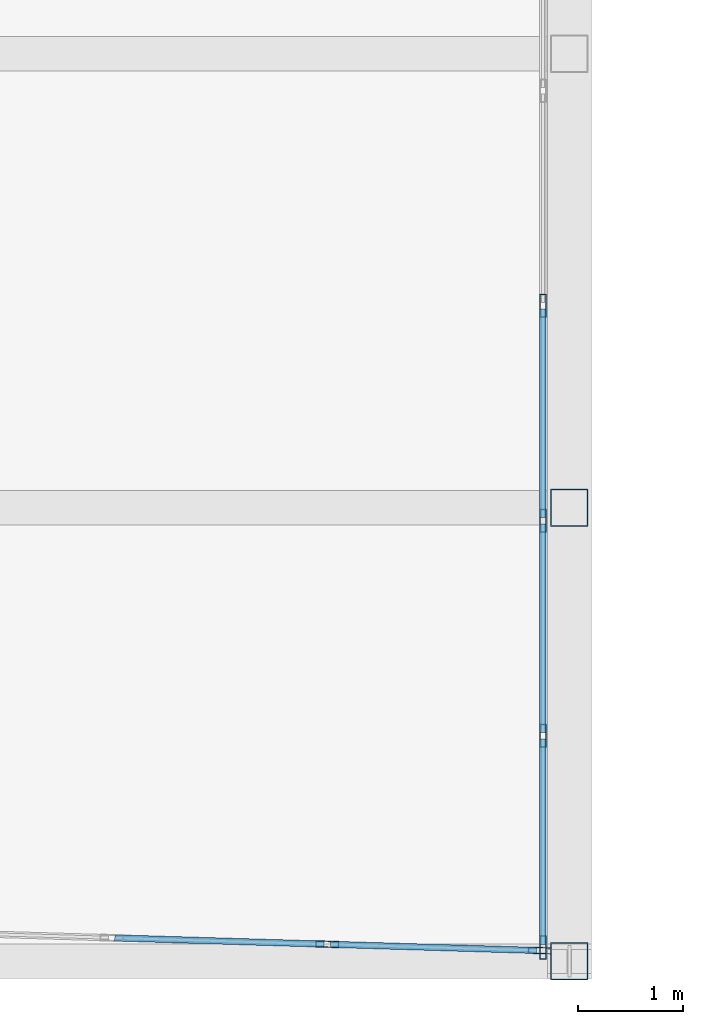
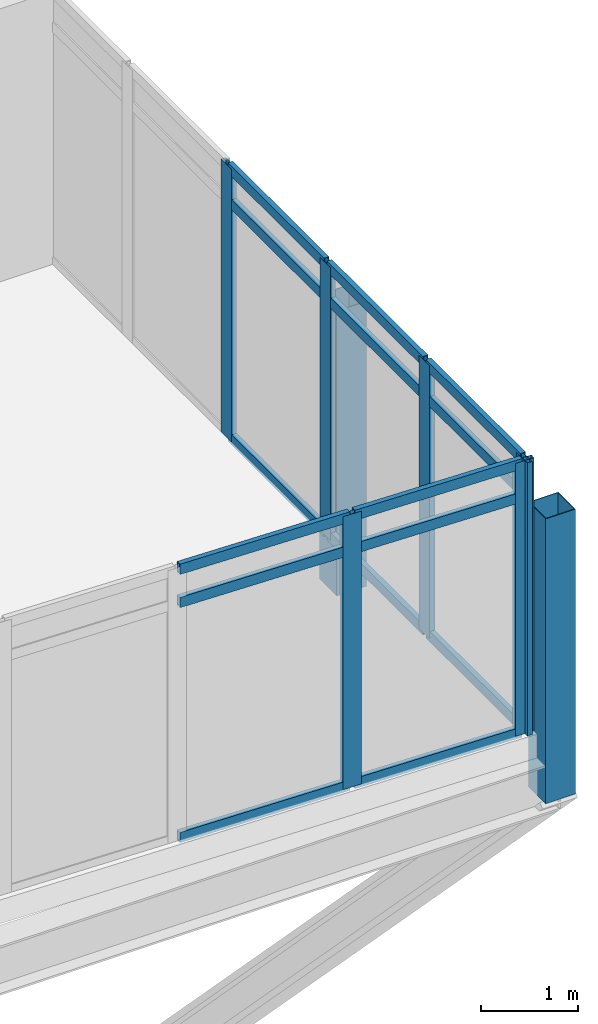
# One storey, part 12 of 37: 23 members, 2 elements without a shape of their own.
"""IFC4 building model written with IfcOpenShell, lengths in metres."""

from ifc_helpers import new_model, si_unit, direction, frame, origin, origin_2d, place, context, subcontext, project, spatial, hollow_rectangle, extrude, material, material_profile, profile_set, type_object, element, aggregate, save


model = new_model("IFC4")

# Units and contexts
model_context = context("Model", 3, precision=1e-05, world=origin(), true_north=direction((0.0, 1.0)))
body_context = subcontext(model_context, "Body", "Model", "MODEL_VIEW")
ifc_project = project(units=[si_unit("LENGTHUNIT", "METRE"), si_unit("AREAUNIT", "SQUARE_METRE"), si_unit("VOLUMEUNIT", "CUBIC_METRE"), si_unit("PLANEANGLEUNIT", "RADIAN"), si_unit("MASSUNIT", "GRAM", prefix="KILO")], contexts=[model_context])

# Site, building, storey
site_placement = place(None, origin())
site = spatial("IfcSite", under=ifc_project, at=site_placement, CompositionType="ELEMENT")
building_placement = place(site_placement, origin())
building = spatial("IfcBuilding", under=site, at=building_placement, Name="Ostrander Bayou Hotel Tower", CompositionType="ELEMENT")
storey_placement = place(building_placement, frame((0.0, 0.0, 131.0)))
storey = spatial("IfcBuildingStorey", under=building, at=storey_placement, Name="L32", CompositionType="ELEMENT", Elevation=131.0)

# Curtain wall, members
ifc_material_1 = material(Name="Aluminium and clear glass", Category="aluminium")
curtain_wall_type = type_object("IfcCurtainWallType", Name="CW-BAR glazed wall", PredefinedType="NOTDEFINED", material=ifc_material_1)
curtain_wall_1_placement = place(storey_placement, origin())
curtain_wall_1 = element("IfcCurtainWall", 1, at=curtain_wall_1_placement, inside=storey, type_object=curtain_wall_type, Name="CW-BAR L32:SB3S:T", PredefinedType="NOTDEFINED")
ifc_material_2 = material(Name="Aluminium", Category="aluminium")
ifc_material_profile_1 = material_profile(ifc_material_2, hollow_rectangle(XDim=0.06005859375, YDim=0.219970703125, WallThickness=0.00390625, at=origin_2d()))
ifc_profile_set_1 = profile_set([ifc_material_profile_1], Name="Aluminium")
member_type_1 = type_object("IfcMemberType", Name="CW-BR mullion 60 x 220 mm", PredefinedType="MULLION", material=ifc_profile_set_1)
member_1_placement = place(storey_placement, frame((11.310791015625, -31.28662109375, 0.0), z_axis=(0.0, 0.0, 1.0), x_axis=(0.029746242041, 0.999557482631, 0.0)))
member_1 = element("IfcMember", 2, at=member_1_placement, type_object=member_type_1, Name="CW-BAR mullion 13", PredefinedType="MULLION", context=body_context, shape_type="SweptSolid", body=[
    extrude(hollow_rectangle(XDim=0.06005859375, YDim=0.219970703125, WallThickness=0.00390625, at=origin_2d()), origin(), (0.0, 0.0, 1.0), 3.449951171875),
])
member_2_placement = place(storey_placement, frame((13.337158203125, -31.346923828125, 0.0), z_axis=(0.0, 0.0, 1.0), x_axis=(0.029746242041, 0.999557482631, 0.0)))
member_2 = element("IfcMember", 3, at=member_2_placement, type_object=member_type_1, Name="CW-BAR mullion 14", PredefinedType="MULLION", context=body_context, shape_type="SweptSolid", body=[
    extrude(hollow_rectangle(XDim=0.06005859375, YDim=0.219970703125, WallThickness=0.00390625, at=origin_2d()), origin(), (0.0, 0.0, 1.0), 3.449951171875),
])

curtain_wall_2_placement = place(storey_placement, origin())
curtain_wall_2 = element("IfcCurtainWall", 4, at=curtain_wall_2_placement, inside=storey, type_object=curtain_wall_type, Name="CW-BAR L32:SB3S:W", PredefinedType="NOTDEFINED")
member_3_placement = place(storey_placement, frame((13.3671875, -25.19775390625, 0.0), z_axis=(0.0, 0.0, 1.0), x_axis=(1.0, 0.0, 0.0)))
member_3 = element("IfcMember", 5, at=member_3_placement, type_object=member_type_1, Name="CW-BAR mullion 8", PredefinedType="MULLION", context=body_context, shape_type="SweptSolid", body=[
    extrude(hollow_rectangle(XDim=0.06005859375, YDim=0.219970703125, WallThickness=0.00390625, at=origin_2d()), origin(), (0.0, 0.0, 1.0), 3.449951171875),
])
member_4_placement = place(storey_placement, frame((13.3671875, -27.247802734375, 0.0), z_axis=(0.0, 0.0, 1.0), x_axis=(1.0, 0.0, 0.0)))
member_4 = element("IfcMember", 6, at=member_4_placement, type_object=member_type_1, Name="CW-BAR mullion 9", PredefinedType="MULLION", context=body_context, shape_type="SweptSolid", body=[
    extrude(hollow_rectangle(XDim=0.06005859375, YDim=0.219970703125, WallThickness=0.00390625, at=origin_2d()), origin(), (0.0, 0.0, 1.0), 3.449951171875),
])
member_5_placement = place(storey_placement, frame((13.3671875, -29.2978515625, 0.0), z_axis=(0.0, 0.0, 1.0), x_axis=(1.0, 0.0, 0.0)))
member_5 = element("IfcMember", 7, at=member_5_placement, type_object=member_type_1, Name="CW-BAR mullion 10", PredefinedType="MULLION", context=body_context, shape_type="SweptSolid", body=[
    extrude(hollow_rectangle(XDim=0.06005859375, YDim=0.219970703125, WallThickness=0.00390625, at=origin_2d()), origin(), (0.0, 0.0, 1.0), 3.449951171875),
])
member_6_placement = place(storey_placement, frame((13.3671875, -31.31787109375, 0.0), z_axis=(0.0, 0.0, 1.0), x_axis=(1.0, 0.0, 0.0)))
member_6 = element("IfcMember", 8, at=member_6_placement, type_object=member_type_1, Name="CW-BAR mullion 11", PredefinedType="MULLION", context=body_context, shape_type="SweptSolid", body=[
    extrude(hollow_rectangle(XDim=0.06005859375, YDim=0.219970703125, WallThickness=0.00390625, at=origin_2d()), origin(), (0.0, 0.0, 1.0), 3.449951171875),
])

# Member
ifc_material_3 = material(Name="Aluminium", Category="aluminium")
ifc_material_profile_2 = material_profile(ifc_material_3, hollow_rectangle(XDim=0.06005859375, YDim=0.1298828125, WallThickness=0.00390625, at=origin_2d()))
ifc_profile_set_2 = profile_set([ifc_material_profile_2], Name="Aluminium")
member_type_2 = type_object("IfcMemberType", Name="CW-BR transom 60 x 130 mm", PredefinedType="USERDEFINED", material=ifc_profile_set_2)
member_7_placement = place(storey_placement, frame((9.2841796875, -31.226318359375, 0.030029296875), z_axis=(0.999558835181, -0.029700757758, 0.0), x_axis=(0.029700757758, 0.999558835181, 0.0)))
member_7 = element("IfcMember", 9, at=member_7_placement, type_object=member_type_2, Name="CW-BAR transom 12.1", ObjectType="TRANSOM", PredefinedType="USERDEFINED", context=body_context, shape_type="SweptSolid", body=[
    extrude(hollow_rectangle(XDim=0.06005859375, YDim=0.1298828125, WallThickness=0.00390625, at=origin_2d()), origin(), (0.0, 0.0, 1.0), 1.99755859375),
])

member_8_placement = place(storey_placement, frame((9.2841796875, -31.226318359375, 3.0), z_axis=(0.999558835181, -0.029700757758, 0.0), x_axis=(0.029700757758, 0.999558835181, 0.0)))
member_8 = element("IfcMember", 10, at=member_8_placement, type_object=member_type_2, Name="CW-BAR transom 12.2", ObjectType="TRANSOM", PredefinedType="USERDEFINED", context=body_context, shape_type="SweptSolid", body=[
    extrude(hollow_rectangle(XDim=0.06005859375, YDim=0.1298828125, WallThickness=0.00390625, at=origin_2d()), origin(), (0.0, 0.0, 1.0), 1.99755859375),
])

member_9_placement = place(storey_placement, frame((9.2841796875, -31.226318359375, 3.419921875), z_axis=(0.999558835181, -0.029700757758, 0.0), x_axis=(0.029700757758, 0.999558835181, 0.0)))
member_9 = element("IfcMember", 11, at=member_9_placement, type_object=member_type_2, Name="CW-BAR transom 12.3", ObjectType="TRANSOM", PredefinedType="USERDEFINED", context=body_context, shape_type="SweptSolid", body=[
    extrude(hollow_rectangle(XDim=0.06005859375, YDim=0.1298828125, WallThickness=0.00390625, at=origin_2d()), origin(), (0.0, 0.0, 1.0), 1.99755859375),
])

member_10_placement = place(storey_placement, frame((11.340576171875, -31.28759765625, 0.030029296875), z_axis=(0.99956010596, -0.029657959693, 0.0), x_axis=(0.029657959693, 0.99956010596, 0.0)))
member_10 = element("IfcMember", 12, at=member_10_placement, type_object=member_type_2, Name="CW-BAR transom 13.1", ObjectType="TRANSOM", PredefinedType="USERDEFINED", context=body_context, shape_type="SweptSolid", body=[
    extrude(hollow_rectangle(XDim=0.06005859375, YDim=0.1298828125, WallThickness=0.00390625, at=origin_2d()), origin(), (0.0, 0.0, 1.0), 1.967529296875),
])

member_11_placement = place(storey_placement, frame((11.340576171875, -31.28759765625, 3.0), z_axis=(0.99956010596, -0.029657959693, 0.0), x_axis=(0.029657959693, 0.99956010596, 0.0)))
member_11 = element("IfcMember", 13, at=member_11_placement, type_object=member_type_2, Name="CW-BAR transom 13.2", ObjectType="TRANSOM", PredefinedType="USERDEFINED", context=body_context, shape_type="SweptSolid", body=[
    extrude(hollow_rectangle(XDim=0.06005859375, YDim=0.1298828125, WallThickness=0.00390625, at=origin_2d()), origin(), (0.0, 0.0, 1.0), 1.967529296875),
])

member_12_placement = place(storey_placement, frame((11.340576171875, -31.28759765625, 3.419921875), z_axis=(0.99956010596, -0.029657959693, 0.0), x_axis=(0.029657959693, 0.99956010596, 0.0)))
member_12 = element("IfcMember", 14, at=member_12_placement, type_object=member_type_2, Name="CW-BAR transom 13.3", ObjectType="TRANSOM", PredefinedType="USERDEFINED", context=body_context, shape_type="SweptSolid", body=[
    extrude(hollow_rectangle(XDim=0.06005859375, YDim=0.1298828125, WallThickness=0.00390625, at=origin_2d()), origin(), (0.0, 0.0, 1.0), 1.967529296875),
])

aggregate(curtain_wall_1, [member_1, member_2, member_7, member_8, member_9, member_10, member_11, member_12])

member_13_placement = place(storey_placement, frame((13.3671875, -25.2275390625, 0.030029296875), z_axis=(0.0, -1.0, 0.0), x_axis=(1.0, 0.0, 0.0)))
member_13 = element("IfcMember", 15, at=member_13_placement, type_object=member_type_2, Name="CW-BAR transom 8.1", ObjectType="TRANSOM", PredefinedType="USERDEFINED", context=body_context, shape_type="SweptSolid", body=[
    extrude(hollow_rectangle(XDim=0.06005859375, YDim=0.1298828125, WallThickness=0.00390625, at=origin_2d()), origin(), (0.0, 0.0, 1.0), 1.990234375),
])

member_14_placement = place(storey_placement, frame((13.3671875, -25.2275390625, 3.0), z_axis=(0.0, -1.0, 0.0), x_axis=(1.0, 0.0, 0.0)))
member_14 = element("IfcMember", 16, at=member_14_placement, type_object=member_type_2, Name="CW-BAR transom 8.2", ObjectType="TRANSOM", PredefinedType="USERDEFINED", context=body_context, shape_type="SweptSolid", body=[
    extrude(hollow_rectangle(XDim=0.06005859375, YDim=0.1298828125, WallThickness=0.00390625, at=origin_2d()), origin(), (0.0, 0.0, 1.0), 1.990234375),
])

member_15_placement = place(storey_placement, frame((13.3671875, -25.2275390625, 3.419921875), z_axis=(0.0, -1.0, 0.0), x_axis=(1.0, 0.0, 0.0)))
member_15 = element("IfcMember", 17, at=member_15_placement, type_object=member_type_2, Name="CW-BAR transom 8.3", ObjectType="TRANSOM", PredefinedType="USERDEFINED", context=body_context, shape_type="SweptSolid", body=[
    extrude(hollow_rectangle(XDim=0.06005859375, YDim=0.1298828125, WallThickness=0.00390625, at=origin_2d()), origin(), (0.0, 0.0, 1.0), 1.990234375),
])

member_16_placement = place(storey_placement, frame((13.3671875, -27.277587890625, 0.030029296875), z_axis=(0.0, -1.0, 0.0), x_axis=(1.0, 0.0, 0.0)))
member_16 = element("IfcMember", 18, at=member_16_placement, type_object=member_type_2, Name="CW-BAR transom 9.1", ObjectType="TRANSOM", PredefinedType="USERDEFINED", context=body_context, shape_type="SweptSolid", body=[
    extrude(hollow_rectangle(XDim=0.06005859375, YDim=0.1298828125, WallThickness=0.00390625, at=origin_2d()), origin(), (0.0, 0.0, 1.0), 1.990234375),
])

member_17_placement = place(storey_placement, frame((13.3671875, -27.277587890625, 3.0), z_axis=(0.0, -1.0, 0.0), x_axis=(1.0, 0.0, 0.0)))
member_17 = element("IfcMember", 19, at=member_17_placement, type_object=member_type_2, Name="CW-BAR transom 9.2", ObjectType="TRANSOM", PredefinedType="USERDEFINED", context=body_context, shape_type="SweptSolid", body=[
    extrude(hollow_rectangle(XDim=0.06005859375, YDim=0.1298828125, WallThickness=0.00390625, at=origin_2d()), origin(), (0.0, 0.0, 1.0), 1.990234375),
])

member_18_placement = place(storey_placement, frame((13.3671875, -27.277587890625, 3.419921875), z_axis=(0.0, -1.0, 0.0), x_axis=(1.0, 0.0, 0.0)))
member_18 = element("IfcMember", 20, at=member_18_placement, type_object=member_type_2, Name="CW-BAR transom 9.3", ObjectType="TRANSOM", PredefinedType="USERDEFINED", context=body_context, shape_type="SweptSolid", body=[
    extrude(hollow_rectangle(XDim=0.06005859375, YDim=0.1298828125, WallThickness=0.00390625, at=origin_2d()), origin(), (0.0, 0.0, 1.0), 1.990234375),
])

member_19_placement = place(storey_placement, frame((13.3671875, -29.32763671875, 0.030029296875), z_axis=(0.0, -1.0, 0.0), x_axis=(1.0, 0.0, 0.0)))
member_19 = element("IfcMember", 21, at=member_19_placement, type_object=member_type_2, Name="CW-BAR transom 10.1", ObjectType="TRANSOM", PredefinedType="USERDEFINED", context=body_context, shape_type="SweptSolid", body=[
    extrude(hollow_rectangle(XDim=0.06005859375, YDim=0.1298828125, WallThickness=0.00390625, at=origin_2d()), origin(), (0.0, 0.0, 1.0), 1.960205078125),
])

member_20_placement = place(storey_placement, frame((13.3671875, -29.32763671875, 3.0), z_axis=(0.0, -1.0, 0.0), x_axis=(1.0, 0.0, 0.0)))
member_20 = element("IfcMember", 22, at=member_20_placement, type_object=member_type_2, Name="CW-BAR transom 10.2", ObjectType="TRANSOM", PredefinedType="USERDEFINED", context=body_context, shape_type="SweptSolid", body=[
    extrude(hollow_rectangle(XDim=0.06005859375, YDim=0.1298828125, WallThickness=0.00390625, at=origin_2d()), origin(), (0.0, 0.0, 1.0), 1.960205078125),
])

member_21_placement = place(storey_placement, frame((13.3671875, -29.32763671875, 3.419921875), z_axis=(0.0, -1.0, 0.0), x_axis=(1.0, 0.0, 0.0)))
member_21 = element("IfcMember", 23, at=member_21_placement, type_object=member_type_2, Name="CW-BAR transom 10.3", ObjectType="TRANSOM", PredefinedType="USERDEFINED", context=body_context, shape_type="SweptSolid", body=[
    extrude(hollow_rectangle(XDim=0.06005859375, YDim=0.1298828125, WallThickness=0.00390625, at=origin_2d()), origin(), (0.0, 0.0, 1.0), 1.960205078125),
])

aggregate(curtain_wall_2, [member_3, member_4, member_5, member_6, member_13, member_14, member_15, member_16, member_17, member_18, member_19, member_20, member_21])

# Members
ifc_material_4 = material(Name="Steel ASTM A500 Gr C", Category="steel")
ifc_material_profile_3 = material_profile(ifc_material_4, hollow_rectangle(XDim=0.355712890625, YDim=0.355712890625, WallThickness=0.0087890625, at=origin_2d()))
ifc_profile_set_3 = profile_set([ifc_material_profile_3], Name="Steel ASTM A500 Gr C")
member_type_3 = type_object("IfcMemberType", Name="TH3 bar hanger HSS14x14x3/8", PredefinedType="POST", material=ifc_profile_set_3)
for number, where, z_axis, x_axis, name in (
    (24, (13.6201171875, -27.122314453125, -0.771728515625), (0.0, 0.0, 1.0), (1.0, 0.0, 0.0), "TH3 SB3SB H2-1"),
    (25, (13.6201171875, -31.449951171875, -0.771728515625), (0.0, 0.0, 1.0), (1.0, 0.0, 0.0), "TH3 SB3SB H3-1"),
):
    element("IfcMember", number, at=place(storey_placement, frame(where, z_axis=z_axis, x_axis=x_axis)), inside=storey, type_object=member_type_3, Name=name, PredefinedType="POST", context=body_context, shape_type="SweptSolid", body=[
        extrude(hollow_rectangle(XDim=0.355712890625, YDim=0.355712890625, WallThickness=0.0087890625, at=origin_2d()), origin(), (0.0, 0.0, 1.0), 3.599853515625),
    ])

save(model, "model.ifc")
